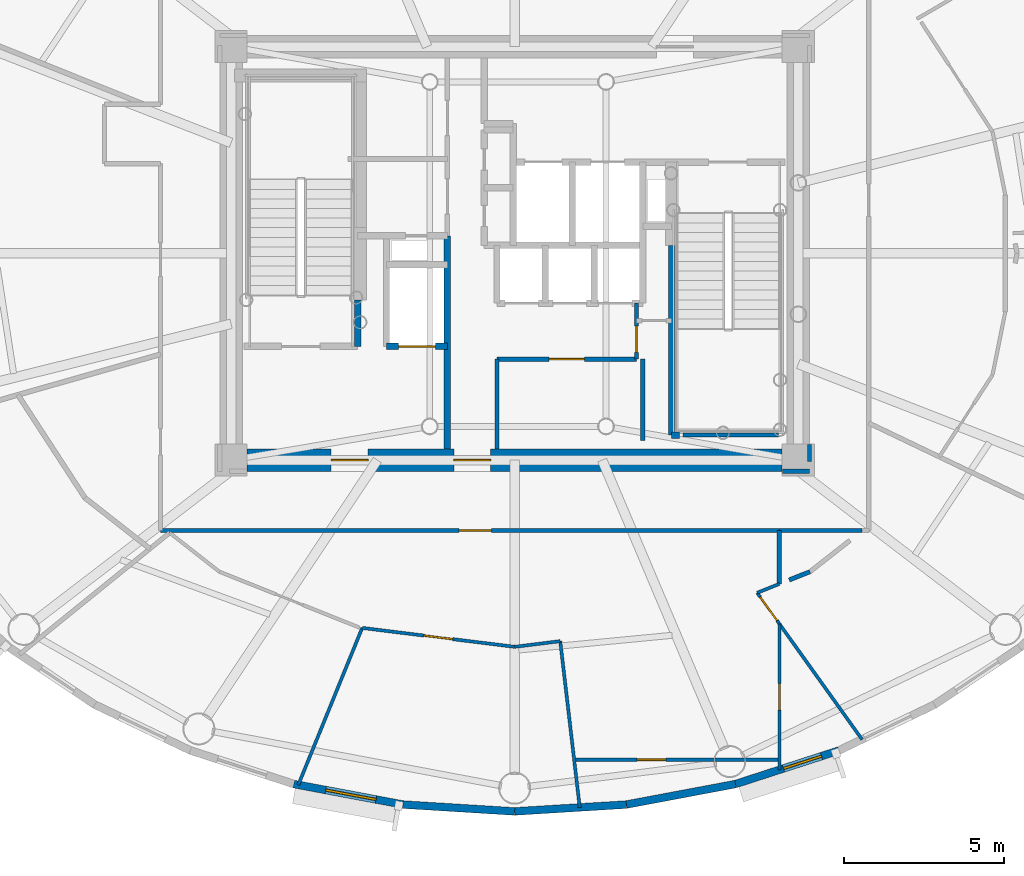
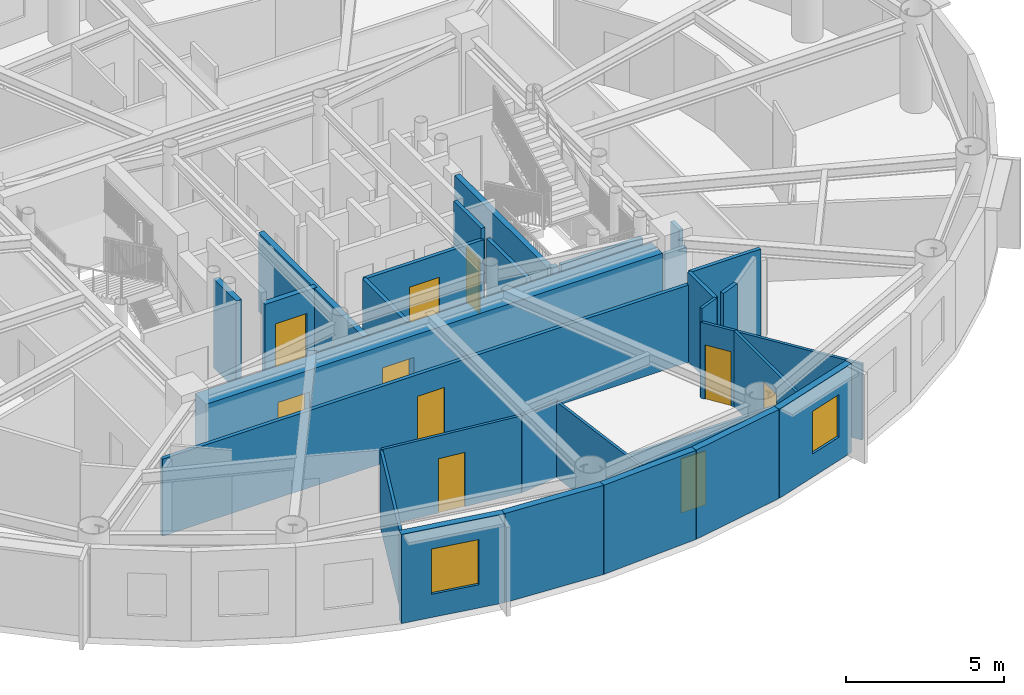
# One storey, part 7 of 17: 30 walls, 10 doors, 2 windows, 12 openings.
"""IFC4 building model written with IfcOpenShell, lengths in metres."""

from ifc_helpers import new_model, si_unit, direction, frame, frame_2d, origin, origin_2d, place, context, subcontext, project, spatial, rectangle, extrude, source, transform, mapped, material, layer, layer_set, type_object, element, fill, save


model = new_model("IFC4")

# Units and contexts
model_context = context("Model", 3, precision=1e-05, world=origin(), true_north=direction((0.0, 1.0)))
body_context = subcontext(model_context, "Body", "Model", "MODEL_VIEW")
ifc_project = project(units=[si_unit("LENGTHUNIT", "METRE"), si_unit("AREAUNIT", "SQUARE_METRE"), si_unit("VOLUMEUNIT", "CUBIC_METRE"), si_unit("PLANEANGLEUNIT", "RADIAN"), si_unit("MASSUNIT", "GRAM", prefix="KILO")], contexts=[model_context])

# Site, building, storey
site_placement = place(None, origin())
site = spatial("IfcSite", under=ifc_project, at=site_placement, CompositionType="ELEMENT")
building_placement = place(site_placement, origin())
building = spatial("IfcBuilding", under=site, at=building_placement, Name="Linh Dai School and Residence Tower", CompositionType="ELEMENT")
storey_placement = place(building_placement, frame((0.0, 0.0, 314.25)))
storey = spatial("IfcBuildingStorey", under=building, at=storey_placement, Name="L78", CompositionType="ELEMENT", Elevation=314.25)

# Wall, opening, window
ifc_material_1 = material(Name="Precast Concrete B45 (C35/45)", Category="concrete")
ifc_layer_1 = layer(ifc_material_1, 0.239990234375)
ifc_layer_set_1 = layer_set([ifc_layer_1], Name="Precast Concrete B45 (C35/45)")
wall_type_1 = type_object("IfcWallType", Name="EW-TC-240", PredefinedType="SOLIDWALL", material=ifc_layer_set_1)
wall_1_placement = place(storey_placement, frame((32.51123046875, 9.800048828125, 0.0), z_axis=(0.0, 0.0, 1.0), x_axis=(-0.982782655757, 0.184765395959, 0.0)))
wall_1 = element("IfcWall", 1, at=wall_1_placement, inside=storey, type_object=wall_type_1, Name="L78 Terracotta Exterior Wall 29", PredefinedType="SOLIDWALL", context=body_context, shape_type="SweptSolid", body=[
    extrude(rectangle(XDim=3.4619140625, YDim=0.239990234375, at=frame_2d((1.73095703125, 0.0))), origin(), (0.0, 0.0, 1.0), 3.449951171875),
])
opening_1_placement = place(wall_1_placement, frame((0.851318359375, 0.0, 0.89990234375)))
opening_1 = element("IfcOpeningElement", 2, at=opening_1_placement, cuts=wall_1, Name="Opening W2", PredefinedType="OPENING", context=body_context, shape_type="SweptSolid", body=[
    extrude(rectangle(XDim=1.60009765625, YDim=1.75, at=origin_2d()), frame((0.800048828125, 0.1298828125, 0.875), z_axis=(0.0, -1.0, 0.0), x_axis=(1.0, 0.0, 0.0)), (0.0, 0.0, 1.0), 0.260009765625),
])
ifc_material_2 = material(Name="Double Low-E Insulated Glazing", Category="glass")
window_type_1 = type_object("IfcWindowType", Name="WN-RES-1600x1750", PartitioningType="DOUBLE_PANEL_VERTICAL", PredefinedType="WINDOW", material=ifc_material_2)
shared_shape_1 = source(origin(), body_context, "Body", "SweptSolid", [
    extrude(rectangle(XDim=1.60009765625, YDim=1.75, at=origin_2d()), frame((0.800048828125, 0.030029296875, 0.875), z_axis=(0.0, -1.0, 0.0), x_axis=(1.0, 0.0, 0.0)), (0.0, 0.0, 1.0), 0.06005859375),
])
window_1_placement = place(opening_1_placement, origin())
window_1 = element("IfcWindow", 3, at=window_1_placement, inside=storey, type_object=window_type_1, Name="L78 Exterior Window 29.1", OverallHeight=1.75, OverallWidth=1.60009765625, PartitioningType="DOUBLE_PANEL_VERTICAL", PredefinedType="WINDOW", context=body_context, shape_type="MappedRepresentation", body=[
    mapped(shared_shape_1, transform((0.0, 0.0, 0.0), x_axis=(1.0, 0.0, 0.0), y_axis=(0.0, 1.0, 0.0), z_axis=(0.0, 0.0, 1.0), scale=1.0)),
])
fill(opening_1, window_1)

# Walls
for number, where, z_axis, x_axis, name in (
    (4, (36.0, 9.5849609375, 0.0), (0.0, 0.0, 1.0), (-0.998104946479, 0.061534671648, 0.0), "L78 Terracotta Exterior Wall 30"),
    (5, (39.48876953125, 9.800048828125, 0.0), (0.0, 0.0, 1.0), (-0.998104946479, -0.061534671648, 0.0), "L78 Terracotta Exterior Wall 31"),
):
    element("IfcWall", number, at=place(storey_placement, frame(where, z_axis=z_axis, x_axis=x_axis)), inside=storey, type_object=wall_type_1, Name=name, PredefinedType="SOLIDWALL", context=body_context, shape_type="SweptSolid", body=[
        extrude(rectangle(XDim=3.495361328125, YDim=0.239990234375, at=frame_2d((1.74755859375, 0.0))), origin(), (0.0, 0.0, 1.0), 3.449951171875),
    ])
wall_2_placement = place(storey_placement, frame((42.89111328125, 10.439697265625, 0.0), z_axis=(0.0, 0.0, 1.0), x_axis=(-0.982782655757, -0.184765395959, 0.0)))
element("IfcWall", 6, at=wall_2_placement, inside=storey, type_object=wall_type_1, Name="L78 Terracotta Exterior Wall 32", PredefinedType="SOLIDWALL", context=body_context, shape_type="SweptSolid", body=[
    extrude(rectangle(XDim=3.4619140625, YDim=0.239990234375, at=frame_2d((1.73095703125, 0.0))), origin(), (0.0, 0.0, 1.0), 3.449951171875),
])

# Wall, opening, window
wall_3_placement = place(storey_placement, frame((46.123046875, 11.48779296875, 0.0), z_axis=(0.0, 0.0, 1.0), x_axis=(-0.95123136723, -0.308478339592, 0.0)))
wall_3 = element("IfcWall", 7, at=wall_3_placement, inside=storey, type_object=wall_type_1, Name="L78 Terracotta Exterior Wall 33", PredefinedType="SOLIDWALL", context=body_context, shape_type="SweptSolid", body=[
    extrude(rectangle(XDim=3.397705078125, YDim=0.239990234375, at=frame_2d((1.69873046875, 0.0))), origin(), (0.0, 0.0, 1.0), 3.449951171875),
])
opening_2_placement = place(wall_3_placement, frame((0.5771484375, 0.0, 0.89990234375)))
opening_2 = element("IfcOpeningElement", 8, at=opening_2_placement, cuts=wall_3, Name="Opening W3", PredefinedType="OPENING", context=body_context, shape_type="SweptSolid", body=[
    extrude(rectangle(XDim=1.25, YDim=1.64990234375, at=origin_2d()), frame((0.625, 0.1298828125, 0.824951171875), z_axis=(0.0, -1.0, 0.0), x_axis=(1.0, 0.0, 0.0)), (0.0, 0.0, 1.0), 0.260009765625),
])
window_type_2 = type_object("IfcWindowType", Name="WN-RES-1250x1650", PartitioningType="SINGLE_PANEL", PredefinedType="WINDOW", material=ifc_material_2)
shared_shape_2 = source(origin(), body_context, "Body", "SweptSolid", [
    extrude(rectangle(XDim=1.25, YDim=1.64990234375, at=origin_2d()), frame((0.625, 0.030029296875, 0.824951171875), z_axis=(0.0, -1.0, 0.0), x_axis=(1.0, 0.0, 0.0)), (0.0, 0.0, 1.0), 0.06005859375),
])
window_2_placement = place(opening_2_placement, origin())
window_2 = element("IfcWindow", 9, at=window_2_placement, inside=storey, type_object=window_type_2, Name="L78 Dwelling Window U7801-LIV", OverallHeight=1.64990234375, OverallWidth=1.25, PartitioningType="SINGLE_PANEL", PredefinedType="WINDOW", context=body_context, shape_type="MappedRepresentation", body=[
    mapped(shared_shape_2, transform((0.0, 0.0, 0.0), x_axis=(1.0, 0.0, 0.0), y_axis=(0.0, 1.0, 0.0), z_axis=(0.0, 0.0, 1.0), scale=1.0)),
])
fill(opening_2, window_2)

# Wall, opening, door
ifc_material_3 = material(Name="Autoclaved Aerated Concrete Blockwork", Category="masonry")
ifc_layer_2 = layer(ifc_material_3, 0.135009765625)
ifc_layer_set_2 = layer_set([ifc_layer_2], Name="Autoclaved Aerated Concrete Blockwork")
wall_type_2 = type_object("IfcWallType", Name="IW-CORR-135-EI90", PredefinedType="PARTITIONING", material=ifc_layer_set_2)
wall_4_placement = place(storey_placement, frame((24.949951171875, 18.35009765625, 0.0), z_axis=(0.0, 0.0, 1.0), x_axis=(1.0, 0.0, 0.0)))
wall_4 = element("IfcWall", 10, at=wall_4_placement, inside=storey, type_object=wall_type_2, Name="L78 Interior Partition Wall 010", PredefinedType="PARTITIONING", context=body_context, shape_type="SweptSolid", body=[
    extrude(rectangle(XDim=19.310546875, YDim=0.135009765625, at=frame_2d((9.6552734375, 0.0))), origin(), (0.0, 0.0, 1.0), 2.985107421875),
])
opening_3_placement = place(wall_4_placement, frame((9.3193359375, 0.0, 0.0)))
opening_3 = element("IfcOpeningElement", 11, at=opening_3_placement, cuts=wall_4, Name="Opening D03", PredefinedType="OPENING", context=body_context, shape_type="SweptSolid", body=[
    extrude(rectangle(XDim=1.0, YDim=2.14990234375, at=origin_2d()), frame((0.5, 0.07763671875, 1.074951171875), z_axis=(0.0, -1.0, 0.0), x_axis=(1.0, 0.0, 0.0)), (0.0, 0.0, 1.0), 0.155029296875),
])
ifc_material_4 = material(Name="Fire-Rated Solid Timber Entrance Door", Category="wood")
door_type_1 = type_object("IfcDoorType", Name="DR-FLAT-1000x2150-FD60S", OperationType="NOTDEFINED", PredefinedType="DOOR", material=ifc_material_4)
shared_shape_3 = source(origin(), body_context, "Body", "SweptSolid", [
    extrude(rectangle(XDim=1.0, YDim=2.14990234375, at=origin_2d()), frame((0.5, 0.02490234375, 1.074951171875), z_axis=(0.0, -1.0, 0.0), x_axis=(1.0, 0.0, 0.0)), (0.0, 0.0, 1.0), 0.050048828125),
])
door_1_placement = place(opening_3_placement, origin())
door_1 = element("IfcDoor", 12, at=door_1_placement, inside=storey, type_object=door_type_1, Name="L78 U7801 Apartment Entrance Door", OperationType="SINGLE_SWING_RIGHT", OverallHeight=2.14990234375, OverallWidth=1.0, PredefinedType="DOOR", context=body_context, shape_type="MappedRepresentation", body=[
    mapped(shared_shape_3, transform((0.0, 0.0, 0.0), x_axis=(1.0, 0.0, 0.0), y_axis=(0.0, 1.0, 0.0), z_axis=(0.0, 0.0, 1.0), scale=1.0)),
])
fill(opening_3, door_1)

# Wall
wall_5_placement = place(storey_placement, frame((35.449951171875, 20.89990234375, 0.0), z_axis=(0.0, 0.0, 1.0), x_axis=(0.0, 1.0, 0.0)))
element("IfcWall", 13, at=wall_5_placement, inside=storey, type_object=wall_type_2, Name="L78 Interior Partition Wall 038", PredefinedType="PARTITIONING", context=body_context, shape_type="SweptSolid", body=[
    extrude(rectangle(XDim=2.800048828125, YDim=0.135009765625, at=frame_2d((1.39990234375, 0.0))), origin(), (0.0, 0.0, 1.0), 3.034912109375),
])

# Wall, opening, door
wall_6_placement = place(storey_placement, frame((35.449951171875, 23.699951171875, 0.0), z_axis=(0.0, 0.0, 1.0), x_axis=(1.0, 0.0, 0.0)))
wall_6 = element("IfcWall", 14, at=wall_6_placement, inside=storey, type_object=wall_type_2, Name="L78 Interior Partition Wall 039", PredefinedType="PARTITIONING", context=body_context, shape_type="SweptSolid", body=[
    extrude(rectangle(XDim=4.35009765625, YDim=0.135009765625, at=frame_2d((2.175048828125, 0.0))), origin(), (0.0, 0.0, 1.0), 3.034912109375),
])
opening_4_placement = place(wall_6_placement, frame((1.625, 0.0, 0.0)))
opening_4 = element("IfcOpeningElement", 15, at=opening_4_placement, cuts=wall_6, Name="Opening D07", PredefinedType="OPENING", context=body_context, shape_type="SweptSolid", body=[
    extrude(rectangle(XDim=1.10009765625, YDim=2.14990234375, at=origin_2d()), frame((0.550048828125, 0.07763671875, 1.074951171875), z_axis=(0.0, -1.0, 0.0), x_axis=(1.0, 0.0, 0.0)), (0.0, 0.0, 1.0), 0.155029296875),
])
ifc_material_5 = material(Name="Fire-Rated Louvred Steel Plant Door", Category="steel")
door_type_2 = type_object("IfcDoorType", Name="DR-PLT-1100x2150-FD60S", OperationType="NOTDEFINED", PredefinedType="DOOR", material=ifc_material_5)
shared_shape_4 = source(origin(), body_context, "Body", "SweptSolid", [
    extrude(rectangle(XDim=1.10009765625, YDim=2.14990234375, at=origin_2d()), frame((0.550048828125, 0.02490234375, 1.074951171875), z_axis=(0.0, -1.0, 0.0), x_axis=(1.0, 0.0, 0.0)), (0.0, 0.0, 1.0), 0.050048828125),
])
door_2_placement = place(opening_4_placement, origin())
door_2 = element("IfcDoor", 16, at=door_2_placement, inside=storey, type_object=door_type_2, Name="L78 Tenant Metering and BMS Room Door", OperationType="SINGLE_SWING_LEFT", OverallHeight=2.14990234375, OverallWidth=1.10009765625, PredefinedType="DOOR", context=body_context, shape_type="MappedRepresentation", body=[
    mapped(shared_shape_4, transform((0.0, 0.0, 0.0), x_axis=(1.0, 0.0, 0.0), y_axis=(0.0, 1.0, 0.0), z_axis=(0.0, 0.0, 1.0), scale=1.0)),
])
fill(opening_4, door_2)

wall_7_placement = place(storey_placement, frame((39.800048828125, 23.699951171875, 0.0), z_axis=(0.0, 0.0, 1.0), x_axis=(0.0, 1.0, 0.0)))
wall_7 = element("IfcWall", 17, at=wall_7_placement, inside=storey, type_object=wall_type_2, Name="L78 Interior Partition Wall 054", PredefinedType="PARTITIONING", context=body_context, shape_type="SweptSolid", body=[
    extrude(rectangle(XDim=1.75, YDim=0.135009765625, at=frame_2d((0.875, 0.0))), origin(), (0.0, 0.0, 1.0), 3.449951171875),
])
opening_5_placement = place(wall_7_placement, frame((0.2099609375, 0.0, 0.0)))
opening_5 = element("IfcOpeningElement", 18, at=opening_5_placement, cuts=wall_7, Name="Opening D06", PredefinedType="OPENING", context=body_context, shape_type="SweptSolid", body=[
    extrude(rectangle(XDim=0.820068359375, YDim=2.10009765625, at=origin_2d()), frame((0.41015625, 0.07763671875, 1.050048828125), z_axis=(0.0, -1.0, 0.0), x_axis=(1.0, 0.0, 0.0)), (0.0, 0.0, 1.0), 0.155029296875),
])
ifc_material_6 = material(Name="Moisture-Resistant Timber Bathroom Door", Category="wood")
door_type_3 = type_object("IfcDoorType", Name="DR-WET-820x2100", OperationType="NOTDEFINED", PredefinedType="DOOR", material=ifc_material_6)
shared_shape_5 = source(origin(), body_context, "Body", "SweptSolid", [
    extrude(rectangle(XDim=0.820068359375, YDim=2.10009765625, at=origin_2d()), frame((0.41015625, 0.02490234375, 1.050048828125), z_axis=(0.0, -1.0, 0.0), x_axis=(1.0, 0.0, 0.0)), (0.0, 0.0, 1.0), 0.050048828125),
])
door_3_placement = place(opening_5_placement, origin())
door_3 = element("IfcDoor", 19, at=door_3_placement, inside=storey, type_object=door_type_3, Name="L78 SE Metering Closet Door", OperationType="SINGLE_SWING_RIGHT", OverallHeight=2.10009765625, OverallWidth=0.820068359375, PredefinedType="DOOR", context=body_context, shape_type="MappedRepresentation", body=[
    mapped(shared_shape_5, transform((0.0, 0.0, 0.0), x_axis=(1.0, 0.0, 0.0), y_axis=(0.0, 1.0, 0.0), z_axis=(0.0, 0.0, 1.0), scale=1.0)),
])
fill(opening_5, door_3)

# Walls
wall_8_placement = place(storey_placement, frame((44.239990234375, 21.330078125, 0.0), z_axis=(0.0, 0.0, 1.0), x_axis=(-1.0, 0.0, 0.0)))
element("IfcWall", 20, at=wall_8_placement, inside=storey, type_object=wall_type_2, Name="L78 Interior Partition Wall 075", PredefinedType="PARTITIONING", context=body_context, shape_type="SweptSolid", body=[
    extrude(rectangle(XDim=2.97998046875, YDim=0.135009765625, at=frame_2d((1.489990234375, 0.0))), origin(), (0.0, 0.0, 1.0), 2.985107421875),
])
wall_9_placement = place(storey_placement, frame((40.0, 23.699951171875, 0.0), z_axis=(0.0, 0.0, 1.0), x_axis=(0.0, -1.0, 0.0)))
element("IfcWall", 21, at=wall_9_placement, inside=storey, type_object=wall_type_2, Name="L78 Interior Partition Wall 076", PredefinedType="PARTITIONING", context=body_context, shape_type="SweptSolid", body=[
    extrude(rectangle(XDim=2.5400390625, YDim=0.135009765625, at=frame_2d((1.27001953125, 0.0))), origin(), (0.0, 0.0, 1.0), 2.985107421875),
])
wall_10_placement = place(storey_placement, frame((46.84521484375, 18.35009765625, 0.0), z_axis=(0.0, 0.0, 1.0), x_axis=(-1.0, 0.0, 0.0)))
element("IfcWall", 22, at=wall_10_placement, inside=storey, type_object=wall_type_2, Name="L78 Interior Partition Wall 077", PredefinedType="PARTITIONING", context=body_context, shape_type="SweptSolid", body=[
    extrude(rectangle(XDim=2.57470703125, YDim=0.135009765625, at=frame_2d((1.287353515625, 0.0))), origin(), (0.0, 0.0, 1.0), 3.449951171875),
])
wall_11_placement = place(storey_placement, frame((44.360107421875, 20.199951171875, 0.0), z_axis=(0.0, 0.0, 1.0), x_axis=(1.0, 0.0, 0.0)))
element("IfcWall", 23, at=wall_11_placement, inside=storey, type_object=wall_type_2, Name="L78 Interior Partition Wall 083", PredefinedType="PARTITIONING", context=body_context, shape_type="SweptSolid", body=[
    extrude(rectangle(XDim=0.83984375, YDim=0.135009765625, at=frame_2d((0.419921875, 0.0))), origin(), (0.0, 0.0, 1.0), 2.985107421875),
])
wall_12_placement = place(storey_placement, frame((45.199951171875, 20.507568359375, 0.0), z_axis=(0.0, 0.0, 1.0), x_axis=(0.0, 1.0, 0.0)))
element("IfcWall", 24, at=wall_12_placement, inside=storey, type_object=wall_type_2, Name="L78 Interior Partition Wall 084", PredefinedType="PARTITIONING", context=body_context, shape_type="SweptSolid", body=[
    extrude(rectangle(XDim=0.532470703125, YDim=0.135009765625, at=frame_2d((0.26611328125, 0.0))), origin(), (0.0, 0.0, 1.0), 3.449951171875),
])
wall_13_placement = place(storey_placement, frame((44.260498046875, 18.35009765625, 0.0), z_axis=(0.0, 0.0, 1.0), x_axis=(0.0, -1.0, 0.0)))
element("IfcWall", 25, at=wall_13_placement, inside=storey, type_object=wall_type_2, Name="L78 Interior Partition Wall 086", PredefinedType="PARTITIONING", context=body_context, shape_type="SweptSolid", body=[
    extrude(rectangle(XDim=1.66455078125, YDim=0.135009765625, at=frame_2d((0.832275390625, 0.0))), origin(), (0.0, 0.0, 1.0), 3.449951171875),
])
wall_14_placement = place(storey_placement, frame((44.56787109375, 16.80810546875, 0.0), z_axis=(0.0, 0.0, 1.0), x_axis=(0.928813825631, 0.370546727576, 0.0)))
element("IfcWall", 26, at=wall_14_placement, inside=storey, type_object=wall_type_2, Name="L78 Interior Partition Wall 087", PredefinedType="PARTITIONING", context=body_context, shape_type="SweptSolid", body=[
    extrude(rectangle(XDim=0.698486328125, YDim=0.135009765625, at=frame_2d((0.34912109375, 0.0))), origin(), (0.0, 0.0, 1.0), 3.449951171875),
])
ifc_material_7 = material(Name="Concrete B45 (C35/45)", Category="concrete")
ifc_layer_3 = layer(ifc_material_7, 0.199951171875)
ifc_layer_set_3 = layer_set([ifc_layer_3], Name="Concrete B45 (C35/45)")
wall_type_3 = type_object("IfcWallType", Name="IW-SHAFT-200-EI120", PredefinedType="PARTITIONING", material=ifc_layer_set_3)
wall_15_placement = place(storey_placement, frame((31.10009765625, 24.10009765625, 0.0), z_axis=(0.0, 0.0, 1.0), x_axis=(0.0, 1.0, 0.0)))
element("IfcWall", 27, at=wall_15_placement, inside=storey, type_object=wall_type_3, Name="L78 Interior Partition Wall 020", PredefinedType="PARTITIONING", context=body_context, shape_type="SweptSolid", body=[
    extrude(rectangle(XDim=1.43994140625, YDim=0.199951171875, at=frame_2d((0.719970703125, 0.0))), origin(), (0.0, 0.0, 1.0), 3.449951171875),
])

# Wall, opening, door
wall_16_placement = place(storey_placement, frame((32.0, 24.10009765625, 0.0), z_axis=(0.0, 0.0, 1.0), x_axis=(1.0, 0.0, 0.0)))
wall_16 = element("IfcWall", 28, at=wall_16_placement, inside=storey, type_object=wall_type_3, Name="L78 Interior Partition Wall 025", PredefinedType="PARTITIONING", context=body_context, shape_type="SweptSolid", body=[
    extrude(rectangle(XDim=1.89990234375, YDim=0.199951171875, at=frame_2d((0.949951171875, 0.0))), origin(), (0.0, 0.0, 1.0), 3.034912109375),
])
opening_6_placement = place(wall_16_placement, frame((0.375, 0.0, 0.0)))
opening_6 = element("IfcOpeningElement", 29, at=opening_6_placement, cuts=wall_16, Name="Opening LD-FF2", PredefinedType="OPENING", context=body_context, shape_type="SweptSolid", body=[
    extrude(rectangle(XDim=1.14990234375, YDim=2.14990234375, at=origin_2d()), frame((0.574951171875, 0.10986328125, 1.074951171875), z_axis=(0.0, -1.0, 0.0), x_axis=(1.0, 0.0, 0.0)), (0.0, 0.0, 1.0), 0.219970703125),
])
ifc_material_8 = material(Name="Fire-Rated Stainless Steel Firefighting Lift Door", Category="steel")
door_type_4 = type_object("IfcDoorType", Name="DR-LD-FF-1150x2150-FD120", OperationType="DOUBLE_DOOR_SLIDING", PredefinedType="USERDEFINED", material=ifc_material_8)
shared_shape_6 = source(origin(), body_context, "Body", "SweptSolid", [
    extrude(rectangle(XDim=1.14990234375, YDim=2.14990234375, at=origin_2d()), frame((0.574951171875, 0.02490234375, 1.074951171875), z_axis=(0.0, -1.0, 0.0), x_axis=(1.0, 0.0, 0.0)), (0.0, 0.0, 1.0), 0.050048828125),
])
door_4_placement = place(opening_6_placement, origin())
door_4 = element("IfcDoor", 30, at=door_4_placement, inside=storey, type_object=door_type_4, Name="L78 Lift FF2 Sliding Landing Door", ObjectType="LANDING DOOR", OperationType="DOUBLE_DOOR_SLIDING", OverallHeight=2.14990234375, OverallWidth=1.14990234375, PredefinedType="USERDEFINED", context=body_context, shape_type="MappedRepresentation", body=[
    mapped(shared_shape_6, transform((0.0, 0.0, 0.0), x_axis=(1.0, 0.0, 0.0), y_axis=(0.0, 1.0, 0.0), z_axis=(0.0, 0.0, 1.0), scale=1.0)),
])
fill(opening_6, door_4)

# Walls
wall_17_placement = place(storey_placement, frame((33.89990234375, 20.89990234375, 0.0), z_axis=(0.0, 0.0, 1.0), x_axis=(0.0, 1.0, 0.0)))
element("IfcWall", 31, at=wall_17_placement, inside=storey, type_object=wall_type_3, Name="L78 Interior Partition Wall 028", PredefinedType="PARTITIONING", context=body_context, shape_type="SweptSolid", body=[
    extrude(rectangle(XDim=6.650146484375, YDim=0.199951171875, at=frame_2d((3.3251953125, 0.0))), origin(), (0.0, 0.0, 1.0), 3.034912109375),
])
wall_18_placement = place(storey_placement, frame((40.89990234375, 21.330078125, 0.0), z_axis=(0.0, 0.0, 1.0), x_axis=(0.0, 1.0, 0.0)))
element("IfcWall", 32, at=wall_18_placement, inside=storey, type_object=wall_type_3, Name="L78 Interior Partition Wall 059", PredefinedType="PARTITIONING", context=body_context, shape_type="SweptSolid", body=[
    extrude(rectangle(XDim=5.909912109375, YDim=0.199951171875, at=frame_2d((2.955078125, 0.0))), origin(), (0.0, 0.0, 1.0), 2.985107421875),
])
wall_19_placement = place(storey_placement, frame((40.89990234375, 21.330078125, 0.0), z_axis=(0.0, 0.0, 1.0), x_axis=(1.0, 0.0, 0.0)))
element("IfcWall", 33, at=wall_19_placement, inside=storey, type_object=wall_type_3, Name="L78 Interior Partition Wall 060", PredefinedType="PARTITIONING", context=body_context, shape_type="SweptSolid", body=[
    extrude(rectangle(XDim=0.25, YDim=0.199951171875, at=frame_2d((0.125, 0.0))), origin(), (0.0, 0.0, 1.0), 2.985107421875),
])
ifc_material_9 = material(Name="Gypsum Plasterboard Acoustic Stud Partition", Category="masonry")
ifc_layer_4 = layer(ifc_material_9, 0.10009765625)
ifc_layer_set_4 = layer_set([ifc_layer_4], Name="Gypsum Plasterboard Acoustic Stud Partition")
wall_type_4 = type_object("IfcWallType", Name="IW-UNIT-100", PredefinedType="PARTITIONING", material=ifc_layer_set_4)
wall_20_placement = place(storey_placement, frame((29.246337890625, 10.40869140625, 0.0), z_axis=(0.0, 0.0, 1.0), x_axis=(0.377005355791, 0.926211078375, 0.0)))
element("IfcWall", 34, at=wall_20_placement, inside=storey, type_object=wall_type_4, Name="L78 Interior Partition Wall 017", PredefinedType="PARTITIONING", context=body_context, shape_type="SweptSolid", body=[
    extrude(rectangle(XDim=5.2939453125, YDim=0.10009765625, at=frame_2d((2.64697265625, 0.0))), origin(), (0.0, 0.0, 1.0), 2.93505859375),
])

# Wall, opening, door
wall_21_placement = place(storey_placement, frame((31.2421875, 15.31201171875, 0.0), z_axis=(0.0, 0.0, 1.0), x_axis=(0.992396501967, -0.123082016895, 0.0)))
wall_21 = element("IfcWall", 35, at=wall_21_placement, inside=storey, type_object=wall_type_4, Name="L78 Interior Partition Wall 023", PredefinedType="PARTITIONING", context=body_context, shape_type="SweptSolid", body=[
    extrude(rectangle(XDim=4.794189453125, YDim=0.10009765625, at=frame_2d((2.39697265625, 0.0))), origin(), (0.0, 0.0, 1.0), 2.985107421875),
])
opening_7_placement = place(wall_21_placement, frame((1.947021484375, 0.0, 0.0)))
opening_7 = element("IfcOpeningElement", 36, at=opening_7_placement, cuts=wall_21, Name="Opening D05", PredefinedType="OPENING", context=body_context, shape_type="SweptSolid", body=[
    extrude(rectangle(XDim=0.89990234375, YDim=2.10009765625, at=origin_2d()), frame((0.449951171875, 0.06005859375, 1.050048828125), z_axis=(0.0, -1.0, 0.0), x_axis=(1.0, 0.0, 0.0)), (0.0, 0.0, 1.0), 0.1201171875),
])
ifc_material_10 = material(Name="Engineered Timber Internal Door", Category="wood")
door_type_5 = type_object("IfcDoorType", Name="DR-INT-900x2100", OperationType="NOTDEFINED", PredefinedType="DOOR", material=ifc_material_10)
shared_shape_7 = source(origin(), body_context, "Body", "SweptSolid", [
    extrude(rectangle(XDim=0.89990234375, YDim=2.10009765625, at=origin_2d()), frame((0.449951171875, 0.02490234375, 1.050048828125), z_axis=(0.0, -1.0, 0.0), x_axis=(1.0, 0.0, 0.0)), (0.0, 0.0, 1.0), 0.050048828125),
])
door_5_placement = place(opening_7_placement, origin())
door_5 = element("IfcDoor", 37, at=door_5_placement, inside=storey, type_object=door_type_5, Name="L78 Apartment U7801 Principal Bedroom 2 Door", OperationType="SINGLE_SWING_RIGHT", OverallHeight=2.10009765625, OverallWidth=0.89990234375, PredefinedType="DOOR", context=body_context, shape_type="MappedRepresentation", body=[
    mapped(shared_shape_7, transform((0.0, 0.0, 0.0), x_axis=(1.0, 0.0, 0.0), y_axis=(0.0, 1.0, 0.0), z_axis=(0.0, 0.0, 1.0), scale=1.0)),
])
fill(opening_7, door_5)

# Walls
wall_22_placement = place(storey_placement, frame((36.0, 14.721923828125, 0.0), z_axis=(0.0, 0.0, 1.0), x_axis=(0.992382380787, 0.123195820967, 0.0)))
element("IfcWall", 38, at=wall_22_placement, inside=storey, type_object=wall_type_4, Name="L78 Interior Partition Wall 044", PredefinedType="PARTITIONING", context=body_context, shape_type="SweptSolid", body=[
    extrude(rectangle(XDim=1.432861328125, YDim=0.10009765625, at=frame_2d((0.71630859375, 0.0))), origin(), (0.0, 0.0, 1.0), 2.985107421875),
])
wall_23_placement = place(storey_placement, frame((37.421875, 14.8984375, 0.0), z_axis=(0.0, 0.0, 1.0), x_axis=(0.116676001677, -0.993170031079, 0.0)))
element("IfcWall", 39, at=wall_23_placement, inside=storey, type_object=wall_type_4, Name="L78 Interior Partition Wall 050", PredefinedType="PARTITIONING", context=body_context, shape_type="SweptSolid", body=[
    extrude(rectangle(XDim=5.22900390625, YDim=0.10009765625, at=frame_2d((2.614501953125, 0.0))), origin(), (0.0, 0.0, 1.0), 2.93505859375),
])

# Wall, opening, door
wall_24_placement = place(storey_placement, frame((37.856689453125, 11.19677734375, 0.0), z_axis=(0.0, 0.0, 1.0), x_axis=(1.0, 0.0, 0.0)))
wall_24 = element("IfcWall", 40, at=wall_24_placement, inside=storey, type_object=wall_type_4, Name="L78 Interior Partition Wall 052", PredefinedType="PARTITIONING", context=body_context, shape_type="SweptSolid", body=[
    extrude(rectangle(XDim=6.40380859375, YDim=0.10009765625, at=frame_2d((3.201904296875, 0.0))), origin(), (0.0, 0.0, 1.0), 2.93505859375),
])
opening_8_placement = place(wall_24_placement, frame((1.96240234375, 0.0, 0.0)))
opening_8 = element("IfcOpeningElement", 41, at=opening_8_placement, cuts=wall_24, Name="Opening D05", PredefinedType="OPENING", context=body_context, shape_type="SweptSolid", body=[
    extrude(rectangle(XDim=0.89990234375, YDim=2.10009765625, at=origin_2d()), frame((0.449951171875, 0.06005859375, 1.050048828125), z_axis=(0.0, -1.0, 0.0), x_axis=(1.0, 0.0, 0.0)), (0.0, 0.0, 1.0), 0.1201171875),
])
door_6_placement = place(opening_8_placement, origin())
door_6 = element("IfcDoor", 42, at=door_6_placement, inside=storey, type_object=door_type_5, Name="L78 Apartment U7801 Kitchen Door", OperationType="SINGLE_SWING_LEFT", OverallHeight=2.10009765625, OverallWidth=0.89990234375, PredefinedType="DOOR", context=body_context, shape_type="MappedRepresentation", body=[
    mapped(shared_shape_7, transform((0.0, 0.0, 0.0), x_axis=(1.0, 0.0, 0.0), y_axis=(0.0, 1.0, 0.0), z_axis=(0.0, 0.0, 1.0), scale=1.0)),
])
fill(opening_8, door_6)

# Wall
wall_25_placement = place(storey_placement, frame((43.568359375, 16.409423828125, 0.0), z_axis=(0.0, 0.0, 1.0), x_axis=(0.928815226083, 0.370543217178, 0.0)))
element("IfcWall", 43, at=wall_25_placement, inside=storey, type_object=wall_type_4, Name="L78 Interior Partition Wall 062", PredefinedType="PARTITIONING", context=body_context, shape_type="SweptSolid", body=[
    extrude(rectangle(XDim=0.7451171875, YDim=0.10009765625, at=frame_2d((0.37255859375, 0.0))), origin(), (0.0, 0.0, 1.0), 3.449951171875),
])

# Wall, opening, door
wall_26_placement = place(storey_placement, frame((43.568359375, 16.409423828125, 0.0), z_axis=(0.0, 0.0, 1.0), x_axis=(0.581447306737, -0.81358406418, 0.0)))
wall_26 = element("IfcWall", 44, at=wall_26_placement, inside=storey, type_object=wall_type_4, Name="L78 Interior Partition Wall 063", PredefinedType="PARTITIONING", context=body_context, shape_type="SweptSolid", body=[
    extrude(rectangle(XDim=5.6318359375, YDim=0.10009765625, at=frame_2d((2.81591796875, 0.0))), origin(), (0.0, 0.0, 1.0), 2.93505859375),
])
opening_9_placement = place(wall_26_placement, frame((0.1650390625, 0.0, 0.0)))
opening_9 = element("IfcOpeningElement", 45, at=opening_9_placement, cuts=wall_26, Name="Opening D05", PredefinedType="OPENING", context=body_context, shape_type="SweptSolid", body=[
    extrude(rectangle(XDim=0.89990234375, YDim=2.10009765625, at=origin_2d()), frame((0.449951171875, 0.06005859375, 1.050048828125), z_axis=(0.0, -1.0, 0.0), x_axis=(1.0, 0.0, 0.0)), (0.0, 0.0, 1.0), 0.1201171875),
])
door_7_placement = place(opening_9_placement, origin())
door_7 = element("IfcDoor", 46, at=door_7_placement, inside=storey, type_object=door_type_5, Name="L78 Apartment U7801 Principal Bedroom 3 Door", OperationType="SINGLE_SWING_LEFT", OverallHeight=2.10009765625, OverallWidth=0.89990234375, PredefinedType="DOOR", context=body_context, shape_type="MappedRepresentation", body=[
    mapped(shared_shape_7, transform((0.0, 0.0, 0.0), x_axis=(1.0, 0.0, 0.0), y_axis=(0.0, 1.0, 0.0), z_axis=(0.0, 0.0, 1.0), scale=1.0)),
])
fill(opening_9, door_7)

wall_27_placement = place(storey_placement, frame((44.260498046875, 10.87841796875, 0.0), z_axis=(0.0, 0.0, 1.0), x_axis=(0.0, 1.0, 0.0)))
wall_27 = element("IfcWall", 47, at=wall_27_placement, inside=storey, type_object=wall_type_4, Name="L78 Interior Partition Wall 064", PredefinedType="PARTITIONING", context=body_context, shape_type="SweptSolid", body=[
    extrude(rectangle(XDim=4.562744140625, YDim=0.10009765625, at=frame_2d((2.28125, 0.0))), origin(), (0.0, 0.0, 1.0), 2.93505859375),
])
opening_10_placement = place(wall_27_placement, frame((1.871337890625, 0.0, 0.0)))
opening_10 = element("IfcOpeningElement", 48, at=opening_10_placement, cuts=wall_27, Name="Opening D06", PredefinedType="OPENING", context=body_context, shape_type="SweptSolid", body=[
    extrude(rectangle(XDim=0.820068359375, YDim=2.10009765625, at=origin_2d()), frame((0.41015625, 0.06005859375, 1.050048828125), z_axis=(0.0, -1.0, 0.0), x_axis=(1.0, 0.0, 0.0)), (0.0, 0.0, 1.0), 0.1201171875),
])
door_8_placement = place(opening_10_placement, origin())
door_8 = element("IfcDoor", 49, at=door_8_placement, inside=storey, type_object=door_type_3, Name="L78 Apartment U7801 Bathroom 1 Door", OperationType="SINGLE_SWING_RIGHT", OverallHeight=2.10009765625, OverallWidth=0.820068359375, PredefinedType="DOOR", context=body_context, shape_type="MappedRepresentation", body=[
    mapped(shared_shape_5, transform((0.0, 0.0, 0.0), x_axis=(1.0, 0.0, 0.0), y_axis=(0.0, 1.0, 0.0), z_axis=(0.0, 0.0, 1.0), scale=1.0)),
])
fill(opening_10, door_8)

# Wall, openings, doors
ifc_layer_5 = layer(ifc_material_7, 0.699951171875)
ifc_layer_set_5 = layer_set([ifc_layer_5], Name="Concrete B45 (C35/45)")
wall_type_5 = type_object("IfcWallType", Name="WL-CORE700", PredefinedType="SHEAR", material=ifc_layer_set_5)
wall_28_placement = place(storey_placement, frame((44.35009765625, 20.550048828125, 0.0), z_axis=(0.0, 0.0, 1.0), x_axis=(-1.0, 0.0, 0.0)))
wall_28 = element("IfcWall", 50, at=wall_28_placement, inside=storey, type_object=wall_type_5, Name="L78 Central Core Shear Wall S", PredefinedType="SHEAR", context=body_context, shape_type="SweptSolid", body=[
    extrude(rectangle(XDim=16.7001953125, YDim=0.699951171875, at=frame_2d((8.35009765625, 0.0))), origin(), (0.0, 0.0, 1.0), 3.0),
])
opening_11_placement = place(wall_28_placement, frame((12.925048828125, 0.0, 0.0)))
opening_11 = element("IfcOpeningElement", 51, at=opening_11_placement, cuts=wall_28, Name="Opening D02", PredefinedType="OPENING", context=body_context, shape_type="SweptSolid", body=[
    extrude(rectangle(XDim=1.14990234375, YDim=2.14990234375, at=origin_2d()), frame((0.574951171875, 0.35986328125, 1.074951171875), z_axis=(0.0, -1.0, 0.0), x_axis=(1.0, 0.0, 0.0)), (0.0, 0.0, 1.0), 0.719970703125),
])
opening_12_placement = place(wall_28_placement, frame((9.10009765625, 0.0, 0.0)))
opening_12 = element("IfcOpeningElement", 52, at=opening_12_placement, cuts=wall_28, Name="Opening D02", PredefinedType="OPENING", context=body_context, shape_type="SweptSolid", body=[
    extrude(rectangle(XDim=1.14990234375, YDim=2.14990234375, at=origin_2d()), frame((0.574951171875, 0.35986328125, 1.074951171875), z_axis=(0.0, -1.0, 0.0), x_axis=(1.0, 0.0, 0.0)), (0.0, 0.0, 1.0), 0.719970703125),
])
ifc_material_11 = material(Name="Fire-Rated Glazed Steel Lobby Door", Category="steel")
door_type_6 = type_object("IfcDoorType", Name="DR-LOBBY-1150x2150-FD90S", OperationType="NOTDEFINED", PredefinedType="DOOR", material=ifc_material_11)
shared_shape_8 = source(origin(), body_context, "Body", "SweptSolid", [
    extrude(rectangle(XDim=1.14990234375, YDim=2.14990234375, at=origin_2d()), frame((0.574951171875, 0.02490234375, 1.074951171875), z_axis=(0.0, -1.0, 0.0), x_axis=(1.0, 0.0, 0.0)), (0.0, 0.0, 1.0), 0.050048828125),
])
door_9_placement = place(opening_11_placement, origin())
door_9 = element("IfcDoor", 53, at=door_9_placement, inside=storey, type_object=door_type_6, Name="L78 Firefighting Lobby Door", OperationType="SINGLE_SWING_LEFT", OverallHeight=2.14990234375, OverallWidth=1.14990234375, PredefinedType="DOOR", context=body_context, shape_type="MappedRepresentation", body=[
    mapped(shared_shape_8, transform((0.0, 0.0, 0.0), x_axis=(1.0, 0.0, 0.0), y_axis=(0.0, 1.0, 0.0), z_axis=(0.0, 0.0, 1.0), scale=1.0)),
])
fill(opening_11, door_9)
door_10_placement = place(opening_12_placement, origin())
door_10 = element("IfcDoor", 54, at=door_10_placement, inside=storey, type_object=door_type_6, Name="L78 Passenger Foyer Access Door", OperationType="SINGLE_SWING_LEFT", OverallHeight=2.14990234375, OverallWidth=1.14990234375, PredefinedType="DOOR", context=body_context, shape_type="MappedRepresentation", body=[
    mapped(shared_shape_8, transform((0.0, 0.0, 0.0), x_axis=(1.0, 0.0, 0.0), y_axis=(0.0, 1.0, 0.0), z_axis=(0.0, 0.0, 1.0), scale=1.0)),
])
fill(opening_12, door_10)

save(model, "model.ifc")
